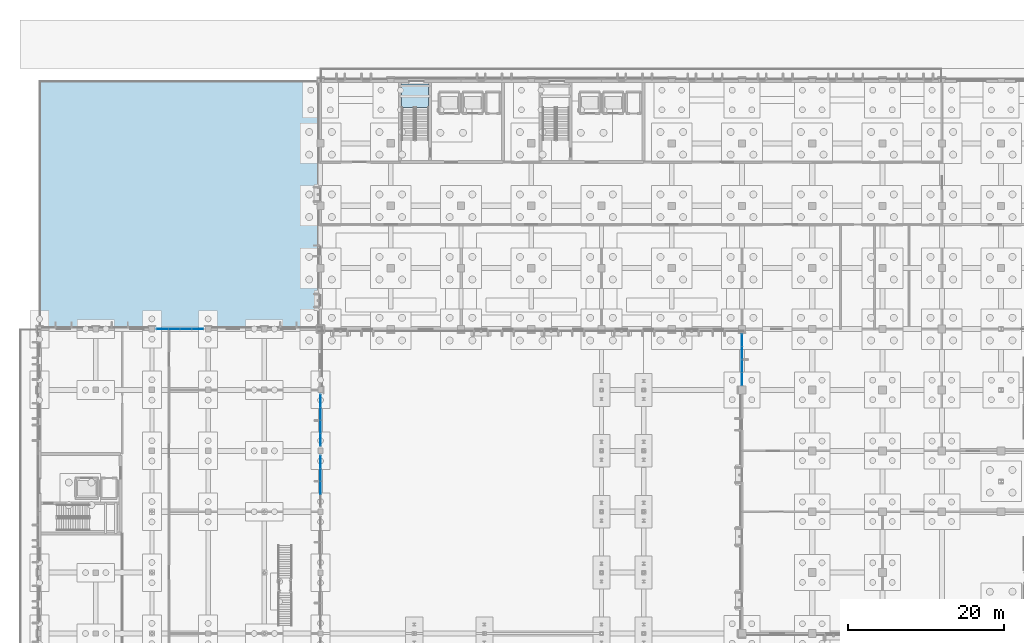
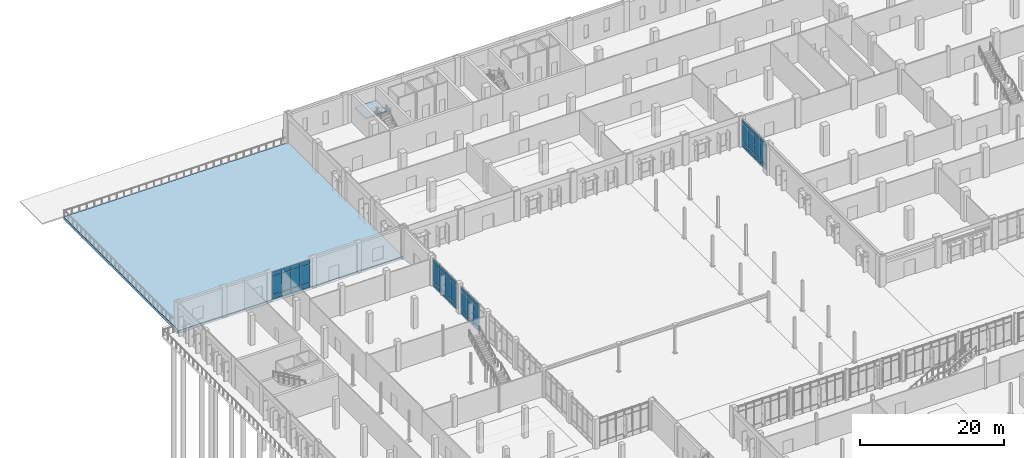
# One storey, part 55 of 94: 45 plates, 2 slabs, 8 elements without a shape of their own.
"""IFC4 building model written with IfcOpenShell, lengths in metres."""

from ifc_helpers import new_model, si_unit, direction, frame, origin, origin_2d, place, context, subcontext, project, spatial, polyline, rectangle, outline, extrude, material, layer, layer_set, type_object, element, aggregate, save


model = new_model("IFC4")

# Units and contexts
model_context = context("Model", 3, precision=1e-05, world=origin(), true_north=direction((0.0, 1.0)))
body_context = subcontext(model_context, "Body", "Model", "MODEL_VIEW")
ifc_project = project(units=[si_unit("LENGTHUNIT", "METRE"), si_unit("AREAUNIT", "SQUARE_METRE"), si_unit("VOLUMEUNIT", "CUBIC_METRE"), si_unit("PLANEANGLEUNIT", "RADIAN"), si_unit("MASSUNIT", "GRAM", prefix="KILO")], contexts=[model_context])

# Site, building, storey
site_placement = place(None, origin())
site = spatial("IfcSite", under=ifc_project, at=site_placement, CompositionType="ELEMENT")
building_placement = place(site_placement, origin())
building = spatial("IfcBuilding", under=site, at=building_placement, Name="Vervanel Yard Central Library", CompositionType="ELEMENT")
storey_placement = place(building_placement, origin())
storey = spatial("IfcBuildingStorey", under=building, at=storey_placement, Name="L00", CompositionType="ELEMENT", Elevation=0.0)

# Stair, slab
ifc_material_1 = material(Name="Concrete C40/50", Category="concrete")
stair_type = type_object("IfcStairType", Name="Protected Core Dog-Leg Stair ST-01", PredefinedType="HALF_TURN_STAIR", material=ifc_material_1)
stair_placement = place(storey_placement, origin())
stair = element("IfcStair", 1, at=stair_placement, inside=storey, type_object=stair_type, Name="L00 CORE-A Protected Exit Stair", PredefinedType="HALF_TURN_STAIR")
ifc_layer_1 = layer(ifc_material_1, 0.199951171875, Category="concrete")
ifc_layer_set_1 = layer_set([ifc_layer_1], Name="Concrete C40/50")
slab_type_1 = type_object("IfcSlabType", Name="Core Stair Concrete Landing Slab 200", PredefinedType="LANDING", material=ifc_layer_set_1)
slab_1_placement = place(storey_placement, frame((0.0, 0.0, 2.35009765625)))
slab_1 = element("IfcSlab", 2, at=slab_1_placement, type_object=slab_type_1, Name="ST-01 landing 1", PredefinedType="LANDING", context=body_context, shape_type="SweptSolid", body=[
    extrude(outline(polyline([(49.85009765625, 110.60009765625), (49.85009765625, 113.60009765625), (46.389892578125, 113.60009765625), (46.389892578125, 110.60009765625), (49.85009765625, 110.60009765625)])), origin(), (0.0, 0.0, 1.0), 0.199951171875),
])
aggregate(stair, [slab_1])

# Curtain wall, plates
ifc_material_2 = material(Name="Thermally broken anodized aluminium 6063-T6", Category="aluminium")
curtain_wall_type_1 = type_object("IfcCurtainWallType", Name="Atrium Courtyard Curtain Wall", PredefinedType="NOTDEFINED", material=ifc_material_2)
curtain_wall_1_placement = place(storey_placement, origin())
curtain_wall_1 = element("IfcCurtainWall", 3, at=curtain_wall_1_placement, inside=storey, type_object=curtain_wall_type_1, Name="L00 Atrium Courtyard Curtain Wall CWR-L00-023", PredefinedType="NOTDEFINED")
ifc_material_3 = material(Name="Double low-E laminated solar-control glass", Category="glass")
ifc_layer_2 = layer(ifc_material_3, 0.030029296875, Category="glass")
ifc_layer_set_2 = layer_set([ifc_layer_2], Name="Double low-E laminated solar-control glass")
plate_type_1 = type_object("IfcPlateType", Name="Courtyard Clear Low-E Panel 30", PredefinedType="CURTAIN_PANEL", material=ifc_layer_set_2)
plate_1_placement = place(storey_placement, frame((36.0, 61.8486328125, 0.88232421875), z_axis=(0.0, 0.0, 1.0), x_axis=(0.0, 1.0, 0.0)))
plate_1 = element("IfcPlate", 4, at=plate_1_placement, type_object=plate_type_1, Name="CWR-L00-023 Panel B2-2", PredefinedType="CURTAIN_PANEL", context=body_context, shape_type="SweptSolid", body=[
    extrude(rectangle(XDim=1.572509765625, YDim=0.030029296875, at=origin_2d()), origin(), (0.0, 0.0, 1.0), 3.014892578125),
])
plate_2_placement = place(storey_placement, frame((36.0, 61.8486328125, 3.962646484375), z_axis=(0.0, 0.0, 1.0), x_axis=(0.0, 1.0, 0.0)))
plate_2 = element("IfcPlate", 5, at=plate_2_placement, type_object=plate_type_1, Name="CWR-L00-023 Panel B2-3", PredefinedType="CURTAIN_PANEL", context=body_context, shape_type="SweptSolid", body=[
    extrude(rectangle(XDim=1.572509765625, YDim=0.030029296875, at=origin_2d()), origin(), (0.0, 0.0, 1.0), 0.75244140625),
])

curtain_wall_2_placement = place(storey_placement, origin())
curtain_wall_2 = element("IfcCurtainWall", 6, at=curtain_wall_2_placement, inside=storey, type_object=curtain_wall_type_1, Name="L00 Atrium Courtyard Curtain Wall CWR-L00-024", PredefinedType="NOTDEFINED")
plate_3_placement = place(storey_placement, frame((36.0, 63.55126953125, 0.88232421875), z_axis=(0.0, 0.0, 1.0), x_axis=(0.0, 1.0, 0.0)))
plate_3 = element("IfcPlate", 7, at=plate_3_placement, type_object=plate_type_1, Name="CWR-L00-024 Panel B1-2", PredefinedType="CURTAIN_PANEL", context=body_context, shape_type="SweptSolid", body=[
    extrude(rectangle(XDim=1.572509765625, YDim=0.030029296875, at=origin_2d()), origin(), (0.0, 0.0, 1.0), 3.014892578125),
])
plate_4_placement = place(storey_placement, frame((36.0, 63.55126953125, 3.962646484375), z_axis=(0.0, 0.0, 1.0), x_axis=(0.0, 1.0, 0.0)))
plate_4 = element("IfcPlate", 8, at=plate_4_placement, type_object=plate_type_1, Name="CWR-L00-024 Panel B1-3", PredefinedType="CURTAIN_PANEL", context=body_context, shape_type="SweptSolid", body=[
    extrude(rectangle(XDim=1.572509765625, YDim=0.030029296875, at=origin_2d()), origin(), (0.0, 0.0, 1.0), 0.75244140625),
])
plate_5_placement = place(storey_placement, frame((36.0, 65.188720703125, 0.88232421875), z_axis=(0.0, 0.0, 1.0), x_axis=(0.0, 1.0, 0.0)))
plate_5 = element("IfcPlate", 9, at=plate_5_placement, type_object=plate_type_1, Name="CWR-L00-024 Panel B2-2", PredefinedType="CURTAIN_PANEL", context=body_context, shape_type="SweptSolid", body=[
    extrude(rectangle(XDim=1.572509765625, YDim=0.030029296875, at=origin_2d()), origin(), (0.0, 0.0, 1.0), 3.014892578125),
])
plate_6_placement = place(storey_placement, frame((36.0, 65.188720703125, 3.962646484375), z_axis=(0.0, 0.0, 1.0), x_axis=(0.0, 1.0, 0.0)))
plate_6 = element("IfcPlate", 10, at=plate_6_placement, type_object=plate_type_1, Name="CWR-L00-024 Panel B2-3", PredefinedType="CURTAIN_PANEL", context=body_context, shape_type="SweptSolid", body=[
    extrude(rectangle(XDim=1.572509765625, YDim=0.030029296875, at=origin_2d()), origin(), (0.0, 0.0, 1.0), 0.75244140625),
])

curtain_wall_3_placement = place(storey_placement, origin())
curtain_wall_3 = element("IfcCurtainWall", 11, at=curtain_wall_3_placement, inside=storey, type_object=curtain_wall_type_1, Name="L00 Atrium Courtyard Curtain Wall CWR-L00-025", PredefinedType="NOTDEFINED")
plate_7_placement = place(storey_placement, frame((36.0, 68.01123046875, 0.88232421875), z_axis=(0.0, 0.0, 1.0), x_axis=(0.0, 1.0, 0.0)))
plate_7 = element("IfcPlate", 12, at=plate_7_placement, type_object=plate_type_1, Name="CWR-L00-025 Panel B1-2", PredefinedType="CURTAIN_PANEL", context=body_context, shape_type="SweptSolid", body=[
    extrude(rectangle(XDim=1.572509765625, YDim=0.030029296875, at=origin_2d()), origin(), (0.0, 0.0, 1.0), 3.014892578125),
])
plate_8_placement = place(storey_placement, frame((36.0, 68.01123046875, 3.962646484375), z_axis=(0.0, 0.0, 1.0), x_axis=(0.0, 1.0, 0.0)))
plate_8 = element("IfcPlate", 13, at=plate_8_placement, type_object=plate_type_1, Name="CWR-L00-025 Panel B1-3", PredefinedType="CURTAIN_PANEL", context=body_context, shape_type="SweptSolid", body=[
    extrude(rectangle(XDim=1.572509765625, YDim=0.030029296875, at=origin_2d()), origin(), (0.0, 0.0, 1.0), 0.75244140625),
])
plate_9_placement = place(storey_placement, frame((36.0, 69.648681640625, 0.88232421875), z_axis=(0.0, 0.0, 1.0), x_axis=(0.0, 1.0, 0.0)))
plate_9 = element("IfcPlate", 14, at=plate_9_placement, type_object=plate_type_1, Name="CWR-L00-025 Panel B2-2", PredefinedType="CURTAIN_PANEL", context=body_context, shape_type="SweptSolid", body=[
    extrude(rectangle(XDim=1.572509765625, YDim=0.030029296875, at=origin_2d()), origin(), (0.0, 0.0, 1.0), 3.014892578125),
])
plate_10_placement = place(storey_placement, frame((36.0, 69.648681640625, 3.962646484375), z_axis=(0.0, 0.0, 1.0), x_axis=(0.0, 1.0, 0.0)))
plate_10 = element("IfcPlate", 15, at=plate_10_placement, type_object=plate_type_1, Name="CWR-L00-025 Panel B2-3", PredefinedType="CURTAIN_PANEL", context=body_context, shape_type="SweptSolid", body=[
    extrude(rectangle(XDim=1.572509765625, YDim=0.030029296875, at=origin_2d()), origin(), (0.0, 0.0, 1.0), 0.75244140625),
])

curtain_wall_4_placement = place(storey_placement, origin())
curtain_wall_4 = element("IfcCurtainWall", 16, at=curtain_wall_4_placement, inside=storey, type_object=curtain_wall_type_1, Name="L00 Atrium Courtyard Curtain Wall CWR-L00-026", PredefinedType="NOTDEFINED")
plate_11_placement = place(storey_placement, frame((36.0, 71.351318359375, 0.88232421875), z_axis=(0.0, 0.0, 1.0), x_axis=(0.0, 1.0, 0.0)))
plate_11 = element("IfcPlate", 17, at=plate_11_placement, type_object=plate_type_1, Name="CWR-L00-026 Panel B1-2", PredefinedType="CURTAIN_PANEL", context=body_context, shape_type="SweptSolid", body=[
    extrude(rectangle(XDim=1.572509765625, YDim=0.030029296875, at=origin_2d()), origin(), (0.0, 0.0, 1.0), 3.014892578125),
])
plate_12_placement = place(storey_placement, frame((36.0, 71.351318359375, 3.962646484375), z_axis=(0.0, 0.0, 1.0), x_axis=(0.0, 1.0, 0.0)))
plate_12 = element("IfcPlate", 18, at=plate_12_placement, type_object=plate_type_1, Name="CWR-L00-026 Panel B1-3", PredefinedType="CURTAIN_PANEL", context=body_context, shape_type="SweptSolid", body=[
    extrude(rectangle(XDim=1.572509765625, YDim=0.030029296875, at=origin_2d()), origin(), (0.0, 0.0, 1.0), 0.75244140625),
])
plate_13_placement = place(storey_placement, frame((36.0, 72.98876953125, 0.88232421875), z_axis=(0.0, 0.0, 1.0), x_axis=(0.0, 1.0, 0.0)))
plate_13 = element("IfcPlate", 19, at=plate_13_placement, type_object=plate_type_1, Name="CWR-L00-026 Panel B2-2", PredefinedType="CURTAIN_PANEL", context=body_context, shape_type="SweptSolid", body=[
    extrude(rectangle(XDim=1.572509765625, YDim=0.030029296875, at=origin_2d()), origin(), (0.0, 0.0, 1.0), 3.014892578125),
])
plate_14_placement = place(storey_placement, frame((36.0, 72.98876953125, 3.962646484375), z_axis=(0.0, 0.0, 1.0), x_axis=(0.0, 1.0, 0.0)))
plate_14 = element("IfcPlate", 20, at=plate_14_placement, type_object=plate_type_1, Name="CWR-L00-026 Panel B2-3", PredefinedType="CURTAIN_PANEL", context=body_context, shape_type="SweptSolid", body=[
    extrude(rectangle(XDim=1.572509765625, YDim=0.030029296875, at=origin_2d()), origin(), (0.0, 0.0, 1.0), 0.75244140625),
])

curtain_wall_type_2 = type_object("IfcCurtainWallType", Name="Reading Hall Full-Height Curtain Wall", PredefinedType="NOTDEFINED", material=ifc_material_2)
curtain_wall_5_placement = place(storey_placement, origin())
curtain_wall_5 = element("IfcCurtainWall", 21, at=curtain_wall_5_placement, inside=storey, type_object=curtain_wall_type_2, Name="L00 Reading Hall Full-Height Curtain Wall CWR-L00-048", PredefinedType="NOTDEFINED")
plate_15_placement = place(storey_placement, frame((90.0, 75.8125, 0.884765625), z_axis=(0.0, 0.0, 1.0), x_axis=(0.0, 1.0, 0.0)))
plate_15 = element("IfcPlate", 22, at=plate_15_placement, type_object=plate_type_1, Name="CWR-L00-048 Panel B1-2", PredefinedType="CURTAIN_PANEL", context=body_context, shape_type="SweptSolid", body=[
    extrude(rectangle(XDim=1.56494140625, YDim=0.030029296875, at=origin_2d()), origin(), (0.0, 0.0, 1.0), 3.010009765625),
])
plate_16_placement = place(storey_placement, frame((90.0, 75.8125, 3.96484375), z_axis=(0.0, 0.0, 1.0), x_axis=(0.0, 1.0, 0.0)))
plate_16 = element("IfcPlate", 23, at=plate_16_placement, type_object=plate_type_1, Name="CWR-L00-048 Panel B1-3", PredefinedType="CURTAIN_PANEL", context=body_context, shape_type="SweptSolid", body=[
    extrude(rectangle(XDim=1.56494140625, YDim=0.030029296875, at=origin_2d()), origin(), (0.0, 0.0, 1.0), 0.7451171875),
])
plate_17_placement = place(storey_placement, frame((90.0, 77.447509765625, 0.884765625), z_axis=(0.0, 0.0, 1.0), x_axis=(0.0, 1.0, 0.0)))
plate_17 = element("IfcPlate", 24, at=plate_17_placement, type_object=plate_type_1, Name="CWR-L00-048 Panel B2-2", PredefinedType="CURTAIN_PANEL", context=body_context, shape_type="SweptSolid", body=[
    extrude(rectangle(XDim=1.56494140625, YDim=0.030029296875, at=origin_2d()), origin(), (0.0, 0.0, 1.0), 3.010009765625),
])
plate_18_placement = place(storey_placement, frame((90.0, 77.447509765625, 3.96484375), z_axis=(0.0, 0.0, 1.0), x_axis=(0.0, 1.0, 0.0)))
plate_18 = element("IfcPlate", 25, at=plate_18_placement, type_object=plate_type_1, Name="CWR-L00-048 Panel B2-3", PredefinedType="CURTAIN_PANEL", context=body_context, shape_type="SweptSolid", body=[
    extrude(rectangle(XDim=1.56494140625, YDim=0.030029296875, at=origin_2d()), origin(), (0.0, 0.0, 1.0), 0.7451171875),
])

curtain_wall_6_placement = place(storey_placement, origin())
curtain_wall_6 = element("IfcCurtainWall", 26, at=curtain_wall_6_placement, inside=storey, type_object=curtain_wall_type_2, Name="L00 Reading Hall Full-Height Curtain Wall CWR-L00-049", PredefinedType="NOTDEFINED")
plate_19_placement = place(storey_placement, frame((90.0, 79.152587890625, 0.884765625), z_axis=(0.0, 0.0, 1.0), x_axis=(0.0, 1.0, 0.0)))
plate_19 = element("IfcPlate", 27, at=plate_19_placement, type_object=plate_type_1, Name="CWR-L00-049 Panel B1-2", PredefinedType="CURTAIN_PANEL", context=body_context, shape_type="SweptSolid", body=[
    extrude(rectangle(XDim=1.56494140625, YDim=0.030029296875, at=origin_2d()), origin(), (0.0, 0.0, 1.0), 3.010009765625),
])
plate_20_placement = place(storey_placement, frame((90.0, 79.152587890625, 3.96484375), z_axis=(0.0, 0.0, 1.0), x_axis=(0.0, 1.0, 0.0)))
plate_20 = element("IfcPlate", 28, at=plate_20_placement, type_object=plate_type_1, Name="CWR-L00-049 Panel B1-3", PredefinedType="CURTAIN_PANEL", context=body_context, shape_type="SweptSolid", body=[
    extrude(rectangle(XDim=1.56494140625, YDim=0.030029296875, at=origin_2d()), origin(), (0.0, 0.0, 1.0), 0.7451171875),
])
plate_21_placement = place(storey_placement, frame((90.0, 80.78759765625, 0.884765625), z_axis=(0.0, 0.0, 1.0), x_axis=(0.0, 1.0, 0.0)))
plate_21 = element("IfcPlate", 29, at=plate_21_placement, type_object=plate_type_1, Name="CWR-L00-049 Panel B2-2", PredefinedType="CURTAIN_PANEL", context=body_context, shape_type="SweptSolid", body=[
    extrude(rectangle(XDim=1.56494140625, YDim=0.030029296875, at=origin_2d()), origin(), (0.0, 0.0, 1.0), 3.010009765625),
])
plate_22_placement = place(storey_placement, frame((90.0, 80.78759765625, 3.96484375), z_axis=(0.0, 0.0, 1.0), x_axis=(0.0, 1.0, 0.0)))
plate_22 = element("IfcPlate", 30, at=plate_22_placement, type_object=plate_type_1, Name="CWR-L00-049 Panel B2-3", PredefinedType="CURTAIN_PANEL", context=body_context, shape_type="SweptSolid", body=[
    extrude(rectangle(XDim=1.56494140625, YDim=0.030029296875, at=origin_2d()), origin(), (0.0, 0.0, 1.0), 0.7451171875),
])

# Plate
ifc_material_4 = material(Name="Insulated bronze aluminium spandrel panel", Category="aluminium")
ifc_layer_3 = layer(ifc_material_4, 0.080078125, Category="aluminium")
ifc_layer_set_3 = layer_set([ifc_layer_3], Name="Insulated bronze aluminium spandrel panel")
plate_type_2 = type_object("IfcPlateType", Name="Insulated Bronze Spandrel Panel 80", PredefinedType="CURTAIN_PANEL", material=ifc_layer_set_3)
plate_23_placement = place(storey_placement, frame((36.0, 61.8486328125, 0.06494140625), z_axis=(0.0, 0.0, 1.0), x_axis=(0.0, 1.0, 0.0)))
plate_23 = element("IfcPlate", 31, at=plate_23_placement, type_object=plate_type_2, Name="CWR-L00-023 Panel B2-1", PredefinedType="CURTAIN_PANEL", context=body_context, shape_type="SweptSolid", body=[
    extrude(rectangle(XDim=1.572509765625, YDim=0.080078125, at=origin_2d()), origin(), (0.0, 0.0, 1.0), 0.75244140625),
])

aggregate(curtain_wall_1, [plate_23, plate_1, plate_2])

plate_24_placement = place(storey_placement, frame((36.0, 63.55126953125, 0.06494140625), z_axis=(0.0, 0.0, 1.0), x_axis=(0.0, 1.0, 0.0)))
plate_24 = element("IfcPlate", 32, at=plate_24_placement, type_object=plate_type_2, Name="CWR-L00-024 Panel B1-1", PredefinedType="CURTAIN_PANEL", context=body_context, shape_type="SweptSolid", body=[
    extrude(rectangle(XDim=1.572509765625, YDim=0.080078125, at=origin_2d()), origin(), (0.0, 0.0, 1.0), 0.75244140625),
])

plate_25_placement = place(storey_placement, frame((36.0, 65.188720703125, 0.06494140625), z_axis=(0.0, 0.0, 1.0), x_axis=(0.0, 1.0, 0.0)))
plate_25 = element("IfcPlate", 33, at=plate_25_placement, type_object=plate_type_2, Name="CWR-L00-024 Panel B2-1", PredefinedType="CURTAIN_PANEL", context=body_context, shape_type="SweptSolid", body=[
    extrude(rectangle(XDim=1.572509765625, YDim=0.080078125, at=origin_2d()), origin(), (0.0, 0.0, 1.0), 0.75244140625),
])

aggregate(curtain_wall_2, [plate_24, plate_3, plate_4, plate_25, plate_5, plate_6])

plate_26_placement = place(storey_placement, frame((36.0, 68.01123046875, 0.06494140625), z_axis=(0.0, 0.0, 1.0), x_axis=(0.0, 1.0, 0.0)))
plate_26 = element("IfcPlate", 34, at=plate_26_placement, type_object=plate_type_2, Name="CWR-L00-025 Panel B1-1", PredefinedType="CURTAIN_PANEL", context=body_context, shape_type="SweptSolid", body=[
    extrude(rectangle(XDim=1.572509765625, YDim=0.080078125, at=origin_2d()), origin(), (0.0, 0.0, 1.0), 0.75244140625),
])

plate_27_placement = place(storey_placement, frame((36.0, 69.648681640625, 0.06494140625), z_axis=(0.0, 0.0, 1.0), x_axis=(0.0, 1.0, 0.0)))
plate_27 = element("IfcPlate", 35, at=plate_27_placement, type_object=plate_type_2, Name="CWR-L00-025 Panel B2-1", PredefinedType="CURTAIN_PANEL", context=body_context, shape_type="SweptSolid", body=[
    extrude(rectangle(XDim=1.572509765625, YDim=0.080078125, at=origin_2d()), origin(), (0.0, 0.0, 1.0), 0.75244140625),
])

aggregate(curtain_wall_3, [plate_26, plate_7, plate_8, plate_27, plate_9, plate_10])

plate_28_placement = place(storey_placement, frame((36.0, 71.351318359375, 0.06494140625), z_axis=(0.0, 0.0, 1.0), x_axis=(0.0, 1.0, 0.0)))
plate_28 = element("IfcPlate", 36, at=plate_28_placement, type_object=plate_type_2, Name="CWR-L00-026 Panel B1-1", PredefinedType="CURTAIN_PANEL", context=body_context, shape_type="SweptSolid", body=[
    extrude(rectangle(XDim=1.572509765625, YDim=0.080078125, at=origin_2d()), origin(), (0.0, 0.0, 1.0), 0.75244140625),
])

plate_29_placement = place(storey_placement, frame((36.0, 72.98876953125, 0.06494140625), z_axis=(0.0, 0.0, 1.0), x_axis=(0.0, 1.0, 0.0)))
plate_29 = element("IfcPlate", 37, at=plate_29_placement, type_object=plate_type_2, Name="CWR-L00-026 Panel B2-1", PredefinedType="CURTAIN_PANEL", context=body_context, shape_type="SweptSolid", body=[
    extrude(rectangle(XDim=1.572509765625, YDim=0.080078125, at=origin_2d()), origin(), (0.0, 0.0, 1.0), 0.75244140625),
])

aggregate(curtain_wall_4, [plate_28, plate_11, plate_12, plate_29, plate_13, plate_14])

# Curtain wall, plates
curtain_wall_7_placement = place(storey_placement, origin())
curtain_wall_7 = element("IfcCurtainWall", 38, at=curtain_wall_7_placement, inside=storey, type_object=curtain_wall_type_1, Name="L00 Atrium Courtyard Curtain Wall CWR-L00-027", PredefinedType="NOTDEFINED")
plate_30_placement = place(storey_placement, frame((15.744384765625, 82.199951171875, 0.06494140625), z_axis=(0.0, 0.0, 1.0), x_axis=(1.0, 0.0, 0.0)))
plate_30 = element("IfcPlate", 39, at=plate_30_placement, type_object=plate_type_2, Name="CWR-L00-027 Panel B1-1", PredefinedType="CURTAIN_PANEL", context=body_context, shape_type="SweptSolid", body=[
    extrude(rectangle(XDim=1.438720703125, YDim=0.080078125, at=origin_2d()), origin(), (0.0, 0.0, 1.0), 0.75244140625),
])
plate_31_placement = place(storey_placement, frame((17.248046875, 82.199951171875, 0.06494140625), z_axis=(0.0, 0.0, 1.0), x_axis=(1.0, 0.0, 0.0)))
plate_31 = element("IfcPlate", 40, at=plate_31_placement, type_object=plate_type_2, Name="CWR-L00-027 Panel B2-1", PredefinedType="CURTAIN_PANEL", context=body_context, shape_type="SweptSolid", body=[
    extrude(rectangle(XDim=1.438720703125, YDim=0.080078125, at=origin_2d()), origin(), (0.0, 0.0, 1.0), 0.75244140625),
])
plate_32_placement = place(storey_placement, frame((18.751953125, 82.199951171875, 0.06494140625), z_axis=(0.0, 0.0, 1.0), x_axis=(1.0, 0.0, 0.0)))
plate_32 = element("IfcPlate", 41, at=plate_32_placement, type_object=plate_type_2, Name="CWR-L00-027 Panel B3-1", PredefinedType="CURTAIN_PANEL", context=body_context, shape_type="SweptSolid", body=[
    extrude(rectangle(XDim=1.438720703125, YDim=0.080078125, at=origin_2d()), origin(), (0.0, 0.0, 1.0), 0.75244140625),
])
plate_33_placement = place(storey_placement, frame((20.255615234375, 82.199951171875, 0.06494140625), z_axis=(0.0, 0.0, 1.0), x_axis=(1.0, 0.0, 0.0)))
plate_33 = element("IfcPlate", 42, at=plate_33_placement, type_object=plate_type_2, Name="CWR-L00-027 Panel B4-1", PredefinedType="CURTAIN_PANEL", context=body_context, shape_type="SweptSolid", body=[
    extrude(rectangle(XDim=1.438720703125, YDim=0.080078125, at=origin_2d()), origin(), (0.0, 0.0, 1.0), 0.75244140625),
])

# Plate
ifc_layer_4 = layer(ifc_material_4, 0.094970703125, Category="aluminium")
ifc_layer_set_4 = layer_set([ifc_layer_4], Name="Insulated bronze aluminium spandrel panel")
plate_type_3 = type_object("IfcPlateType", Name="Reading Hall Shadow-Box Spandrel 95", PredefinedType="CURTAIN_PANEL", material=ifc_layer_set_4)
plate_34_placement = place(storey_placement, frame((90.0, 75.8125, 0.06982421875), z_axis=(0.0, 0.0, 1.0), x_axis=(0.0, 1.0, 0.0)))
plate_34 = element("IfcPlate", 43, at=plate_34_placement, type_object=plate_type_3, Name="CWR-L00-048 Panel B1-1", PredefinedType="CURTAIN_PANEL", context=body_context, shape_type="SweptSolid", body=[
    extrude(rectangle(XDim=1.56494140625, YDim=0.094970703125, at=origin_2d()), origin(), (0.0, 0.0, 1.0), 0.7451171875),
])

plate_35_placement = place(storey_placement, frame((90.0, 77.447509765625, 0.06982421875), z_axis=(0.0, 0.0, 1.0), x_axis=(0.0, 1.0, 0.0)))
plate_35 = element("IfcPlate", 44, at=plate_35_placement, type_object=plate_type_3, Name="CWR-L00-048 Panel B2-1", PredefinedType="CURTAIN_PANEL", context=body_context, shape_type="SweptSolid", body=[
    extrude(rectangle(XDim=1.56494140625, YDim=0.094970703125, at=origin_2d()), origin(), (0.0, 0.0, 1.0), 0.7451171875),
])

aggregate(curtain_wall_5, [plate_34, plate_15, plate_16, plate_35, plate_17, plate_18])

plate_36_placement = place(storey_placement, frame((90.0, 79.152587890625, 0.06982421875), z_axis=(0.0, 0.0, 1.0), x_axis=(0.0, 1.0, 0.0)))
plate_36 = element("IfcPlate", 45, at=plate_36_placement, type_object=plate_type_3, Name="CWR-L00-049 Panel B1-1", PredefinedType="CURTAIN_PANEL", context=body_context, shape_type="SweptSolid", body=[
    extrude(rectangle(XDim=1.56494140625, YDim=0.094970703125, at=origin_2d()), origin(), (0.0, 0.0, 1.0), 0.7451171875),
])

plate_37_placement = place(storey_placement, frame((90.0, 80.78759765625, 0.06982421875), z_axis=(0.0, 0.0, 1.0), x_axis=(0.0, 1.0, 0.0)))
plate_37 = element("IfcPlate", 46, at=plate_37_placement, type_object=plate_type_3, Name="CWR-L00-049 Panel B2-1", PredefinedType="CURTAIN_PANEL", context=body_context, shape_type="SweptSolid", body=[
    extrude(rectangle(XDim=1.56494140625, YDim=0.094970703125, at=origin_2d()), origin(), (0.0, 0.0, 1.0), 0.7451171875),
])

aggregate(curtain_wall_6, [plate_36, plate_19, plate_20, plate_37, plate_21, plate_22])

# Slab
ifc_layer_5 = layer(ifc_material_1, 0.449951171875, Category="concrete")
ifc_layer_set_5 = layer_set([ifc_layer_5], Name="Concrete C40/50")
slab_type_2 = type_object("IfcSlabType", Name="Switchyard Plinth Deck Slab 450", PredefinedType="FLOOR", material=ifc_layer_set_5)
slab_2_placement = place(storey_placement, frame((0.0, 0.0, -0.449951171875)))
element("IfcSlab", 47, at=slab_2_placement, inside=storey, type_object=slab_type_2, Name="Northwest Rail-Buffer Plinth Terrace", PredefinedType="FLOOR", context=body_context, shape_type="SweptSolid", body=[
    extrude(outline(polyline([(0.0, 82.199951171875), (36.0, 82.199951171875), (36.0, 114.0), (0.0, 114.0), (0.0, 82.199951171875)])), origin(), (0.0, 0.0, 1.0), 0.449951171875),
])

# Plate
ifc_layer_6 = layer(ifc_material_3, 0.031982421875, Category="glass")
ifc_layer_set_6 = layer_set([ifc_layer_6], Name="Double low-E laminated solar-control glass")
plate_type_4 = type_object("IfcPlateType", Name="Vision Low-E Glazed Panel 32", PredefinedType="CURTAIN_PANEL", material=ifc_layer_set_6)
plate_38_placement = place(storey_placement, frame((15.744384765625, 82.199951171875, 0.88232421875), z_axis=(0.0, 0.0, 1.0), x_axis=(1.0, 0.0, 0.0)))
plate_38 = element("IfcPlate", 48, at=plate_38_placement, type_object=plate_type_4, Name="CWR-L00-027 Panel B1-2", PredefinedType="CURTAIN_PANEL", context=body_context, shape_type="SweptSolid", body=[
    extrude(rectangle(XDim=1.438720703125, YDim=0.031982421875, at=origin_2d()), origin(), (0.0, 0.0, 1.0), 3.014892578125),
])

plate_39_placement = place(storey_placement, frame((15.744384765625, 82.199951171875, 3.962646484375), z_axis=(0.0, 0.0, 1.0), x_axis=(1.0, 0.0, 0.0)))
plate_39 = element("IfcPlate", 49, at=plate_39_placement, type_object=plate_type_4, Name="CWR-L00-027 Panel B1-3", PredefinedType="CURTAIN_PANEL", context=body_context, shape_type="SweptSolid", body=[
    extrude(rectangle(XDim=1.438720703125, YDim=0.031982421875, at=origin_2d()), origin(), (0.0, 0.0, 1.0), 0.75244140625),
])

plate_40_placement = place(storey_placement, frame((17.248046875, 82.199951171875, 0.88232421875), z_axis=(0.0, 0.0, 1.0), x_axis=(1.0, 0.0, 0.0)))
plate_40 = element("IfcPlate", 50, at=plate_40_placement, type_object=plate_type_4, Name="CWR-L00-027 Panel B2-2", PredefinedType="CURTAIN_PANEL", context=body_context, shape_type="SweptSolid", body=[
    extrude(rectangle(XDim=1.438720703125, YDim=0.031982421875, at=origin_2d()), origin(), (0.0, 0.0, 1.0), 3.014892578125),
])

plate_41_placement = place(storey_placement, frame((17.248046875, 82.199951171875, 3.962646484375), z_axis=(0.0, 0.0, 1.0), x_axis=(1.0, 0.0, 0.0)))
plate_41 = element("IfcPlate", 51, at=plate_41_placement, type_object=plate_type_4, Name="CWR-L00-027 Panel B2-3", PredefinedType="CURTAIN_PANEL", context=body_context, shape_type="SweptSolid", body=[
    extrude(rectangle(XDim=1.438720703125, YDim=0.031982421875, at=origin_2d()), origin(), (0.0, 0.0, 1.0), 0.75244140625),
])

plate_42_placement = place(storey_placement, frame((18.751953125, 82.199951171875, 0.88232421875), z_axis=(0.0, 0.0, 1.0), x_axis=(1.0, 0.0, 0.0)))
plate_42 = element("IfcPlate", 52, at=plate_42_placement, type_object=plate_type_4, Name="CWR-L00-027 Panel B3-2", PredefinedType="CURTAIN_PANEL", context=body_context, shape_type="SweptSolid", body=[
    extrude(rectangle(XDim=1.438720703125, YDim=0.031982421875, at=origin_2d()), origin(), (0.0, 0.0, 1.0), 3.014892578125),
])

plate_43_placement = place(storey_placement, frame((18.751953125, 82.199951171875, 3.962646484375), z_axis=(0.0, 0.0, 1.0), x_axis=(1.0, 0.0, 0.0)))
plate_43 = element("IfcPlate", 53, at=plate_43_placement, type_object=plate_type_4, Name="CWR-L00-027 Panel B3-3", PredefinedType="CURTAIN_PANEL", context=body_context, shape_type="SweptSolid", body=[
    extrude(rectangle(XDim=1.438720703125, YDim=0.031982421875, at=origin_2d()), origin(), (0.0, 0.0, 1.0), 0.75244140625),
])

plate_44_placement = place(storey_placement, frame((20.255615234375, 82.199951171875, 0.88232421875), z_axis=(0.0, 0.0, 1.0), x_axis=(1.0, 0.0, 0.0)))
plate_44 = element("IfcPlate", 54, at=plate_44_placement, type_object=plate_type_4, Name="CWR-L00-027 Panel B4-2", PredefinedType="CURTAIN_PANEL", context=body_context, shape_type="SweptSolid", body=[
    extrude(rectangle(XDim=1.438720703125, YDim=0.031982421875, at=origin_2d()), origin(), (0.0, 0.0, 1.0), 3.014892578125),
])

plate_45_placement = place(storey_placement, frame((20.255615234375, 82.199951171875, 3.962646484375), z_axis=(0.0, 0.0, 1.0), x_axis=(1.0, 0.0, 0.0)))
plate_45 = element("IfcPlate", 55, at=plate_45_placement, type_object=plate_type_4, Name="CWR-L00-027 Panel B4-3", PredefinedType="CURTAIN_PANEL", context=body_context, shape_type="SweptSolid", body=[
    extrude(rectangle(XDim=1.438720703125, YDim=0.031982421875, at=origin_2d()), origin(), (0.0, 0.0, 1.0), 0.75244140625),
])

aggregate(curtain_wall_7, [plate_30, plate_38, plate_39, plate_31, plate_40, plate_41, plate_32, plate_42, plate_43, plate_33, plate_44, plate_45])

save(model, "model.ifc")
